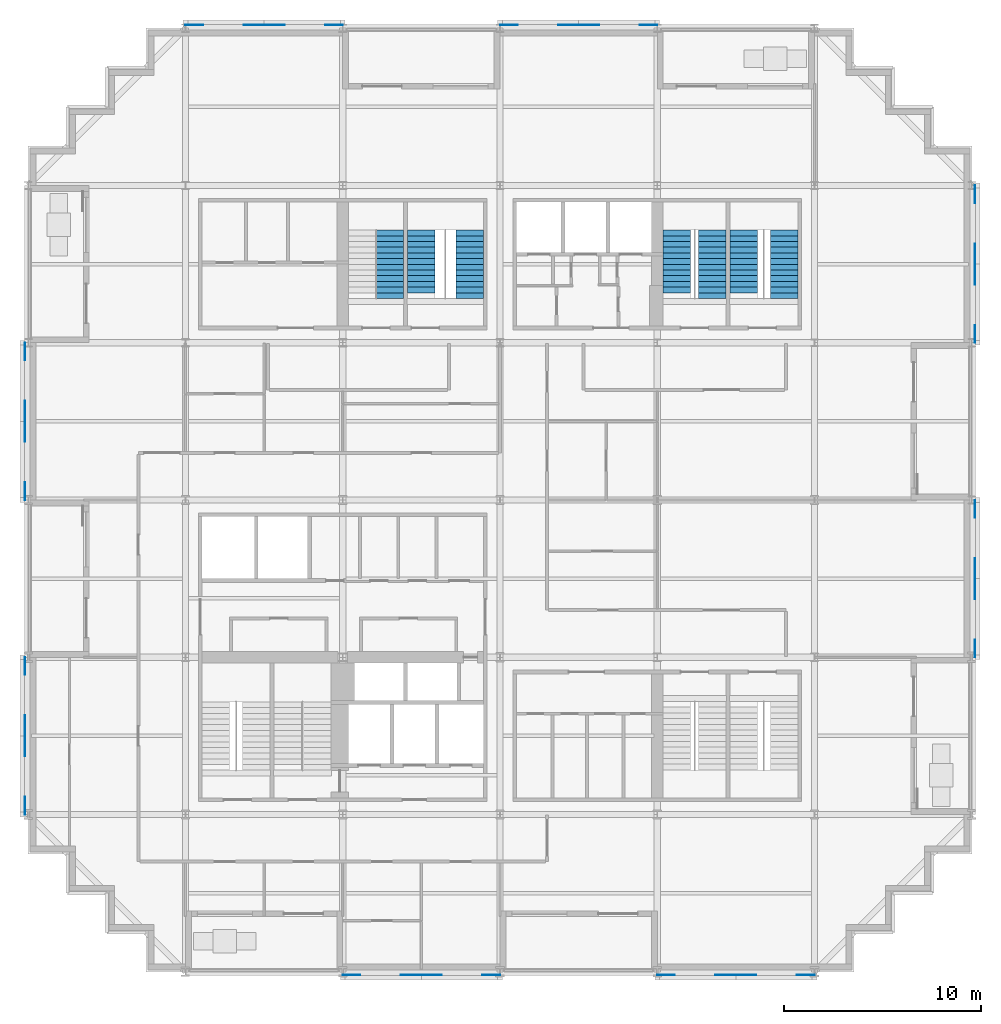
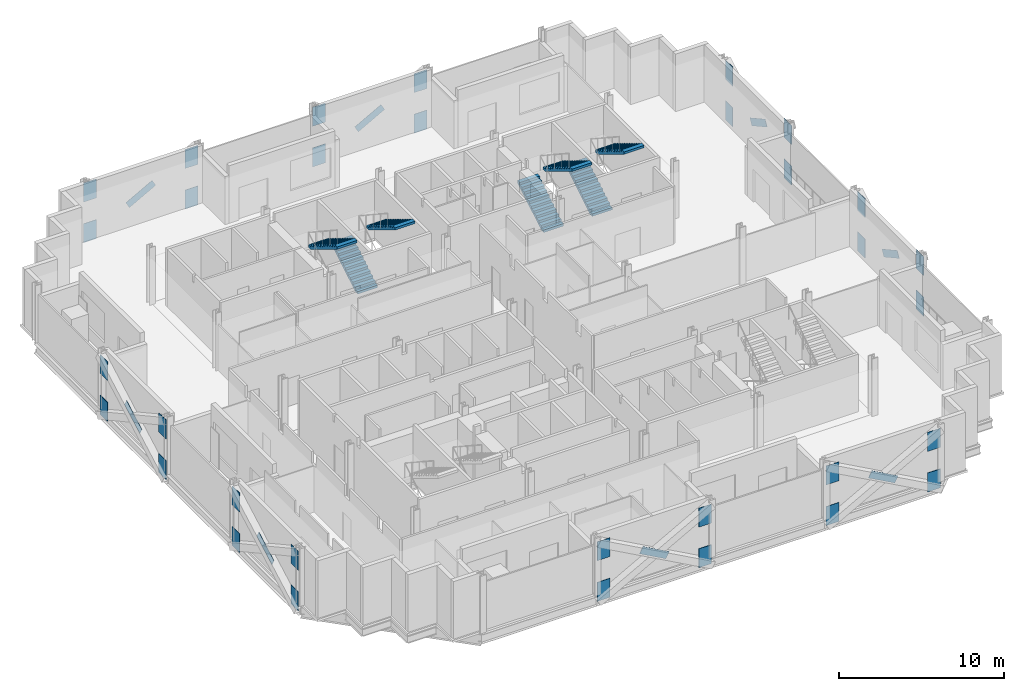
# One storey, part 11 of 14: 40 discrete accessories, 7 stair flights, 4 elements without a shape of their own.
"""IFC4 building model written with IfcOpenShell, lengths in metres."""

from ifc_helpers import new_model, si_unit, direction, frame, origin, origin_2d, place, context, subcontext, project, spatial, polyline, rectangle, outline, extrude, material, material_profile, profile_set, type_object, element, aggregate, save


model = new_model("IFC4")

# Units and contexts
model_context = context("Model", 3, precision=1e-05, world=origin(), true_north=direction((0.0, 1.0)))
body_context = subcontext(model_context, "Body", "Model", "MODEL_VIEW")
ifc_project = project(units=[si_unit("LENGTHUNIT", "METRE"), si_unit("AREAUNIT", "SQUARE_METRE"), si_unit("VOLUMEUNIT", "CUBIC_METRE"), si_unit("PLANEANGLEUNIT", "RADIAN"), si_unit("MASSUNIT", "GRAM", prefix="KILO")], contexts=[model_context])

# Site, building, storey
site_placement = place(None, origin())
site = spatial("IfcSite", under=ifc_project, at=site_placement, CompositionType="ELEMENT")
building_placement = place(site_placement, origin())
building = spatial("IfcBuilding", under=site, at=building_placement, Name="Immortelle Media Tower", CompositionType="ELEMENT")
storey_placement = place(building_placement, frame((0.0, 0.0, 43.60009765625)))
storey = spatial("IfcBuildingStorey", under=building, at=storey_placement, Name="L06", CompositionType="ELEMENT", Elevation=43.60009765625)

# Stair, stair flight
ifc_material_1 = material(Name="Steel ASTM A992 Gr 50", Category="steel")
stair_type = type_object("IfcStairType", Name="Stair with flights", PredefinedType="DOUBLE_RETURN_STAIR", material=ifc_material_1)
stair_1_placement = place(storey_placement, origin())
stair_1 = element("IfcStair", 1, at=stair_1_placement, inside=storey, type_object=stair_type, Name="Exit stair NW1", PredefinedType="DOUBLE_RETURN_STAIR")
stair_flight_type = type_object("IfcStairFlightType", Name="Stair flight 1400", PredefinedType="STRAIGHT", material=ifc_material_1)
stair_flight_1_placement = place(storey_placement, frame((18.39990234375, 37.72998046875, 2.11181640625), z_axis=(0.0, 0.0, 1.0), x_axis=(0.0, -1.0, 0.0)))
stair_flight_1 = element("IfcStairFlight", 2, at=stair_flight_1_placement, type_object=stair_flight_type, Name="ST NW1 flight 2", NumberOfRisers=13, NumberOfTreads=12, PredefinedType="STRAIGHT", RiserHeight=0.176, TreadLength=0.29, context=body_context, shape_type="SweptSolid", body=[
    extrude(outline(polyline([(0.0, 0.0), (0.0, 0.176025390625), (0.2900390625, 0.176025390625), (0.2900390625, 0.35205078125), (0.580078125, 0.35205078125), (0.580078125, 0.528076171875), (0.8701171875, 0.528076171875), (0.8701171875, 0.7041015625), (1.159912109375, 0.7041015625), (1.159912109375, 0.8798828125), (1.449951171875, 0.8798828125), (1.449951171875, 1.055908203125), (1.739990234375, 1.055908203125), (1.739990234375, 1.23193359375), (2.030029296875, 1.23193359375), (2.030029296875, 1.407958984375), (2.320068359375, 1.407958984375), (2.320068359375, 1.583984375), (2.610107421875, 1.583984375), (2.610107421875, 1.760009765625), (2.89990234375, 1.760009765625), (2.89990234375, 1.93603515625), (3.18994140625, 1.93603515625), (3.18994140625, 2.112060546875), (3.47998046875, 2.112060546875), (3.47998046875, 2.2880859375), (3.47998046875, 1.936767578125), (0.288818359375, 0.0), (0.0, 0.0)])), frame((0.0, 0.699951171875, 0.0), z_axis=(0.0, -1.0, 0.0), x_axis=(1.0, 0.0, 0.0)), (0.0, 0.0, 1.0), 1.39990234375),
])
aggregate(stair_1, [stair_flight_1])

# Stair, stair flights
stair_2_placement = place(storey_placement, origin())
stair_2 = element("IfcStair", 3, at=stair_2_placement, inside=storey, type_object=stair_type, Name="Exit stair NW2", PredefinedType="DOUBLE_RETURN_STAIR")
stair_flight_2_placement = place(storey_placement, frame((20.0, 34.5400390625, 0.0), z_axis=(0.0, 0.0, 1.0), x_axis=(0.0, 1.0, 0.0)))
stair_flight_2 = element("IfcStairFlight", 4, at=stair_flight_2_placement, type_object=stair_flight_type, Name="ST NW2 flight 1", NumberOfRisers=12, NumberOfTreads=11, PredefinedType="STRAIGHT", RiserHeight=0.176, TreadLength=0.29, context=body_context, shape_type="SweptSolid", body=[
    extrude(outline(polyline([(0.0, 0.0), (0.0, 0.176025390625), (0.2900390625, 0.176025390625), (0.2900390625, 0.35205078125), (0.580078125, 0.35205078125), (0.580078125, 0.528076171875), (0.8701171875, 0.528076171875), (0.8701171875, 0.7041015625), (1.159912109375, 0.7041015625), (1.159912109375, 0.8798828125), (1.449951171875, 0.8798828125), (1.449951171875, 1.055908203125), (1.739990234375, 1.055908203125), (1.739990234375, 1.23193359375), (2.030029296875, 1.23193359375), (2.030029296875, 1.407958984375), (2.320068359375, 1.407958984375), (2.320068359375, 1.583984375), (2.610107421875, 1.583984375), (2.610107421875, 1.760009765625), (2.89990234375, 1.760009765625), (2.89990234375, 1.93603515625), (3.18994140625, 1.93603515625), (3.18994140625, 2.112060546875), (3.18994140625, 1.7607421875), (0.288818359375, 0.0), (0.0, 0.0)])), frame((0.0, 0.699951171875, 0.0), z_axis=(0.0, -1.0, 0.0), x_axis=(1.0, 0.0, 0.0)), (0.0, 0.0, 1.0), 1.39990234375),
])
stair_flight_3_placement = place(storey_placement, frame((22.449951171875, 37.72998046875, 2.11181640625), z_axis=(0.0, 0.0, 1.0), x_axis=(0.0, -1.0, 0.0)))
stair_flight_3 = element("IfcStairFlight", 5, at=stair_flight_3_placement, type_object=stair_flight_type, Name="ST NW2 flight 2", NumberOfRisers=13, NumberOfTreads=12, PredefinedType="STRAIGHT", RiserHeight=0.176, TreadLength=0.29, context=body_context, shape_type="SweptSolid", body=[
    extrude(outline(polyline([(0.0, 0.0), (0.0, 0.176025390625), (0.2900390625, 0.176025390625), (0.2900390625, 0.35205078125), (0.580078125, 0.35205078125), (0.580078125, 0.528076171875), (0.8701171875, 0.528076171875), (0.8701171875, 0.7041015625), (1.159912109375, 0.7041015625), (1.159912109375, 0.8798828125), (1.449951171875, 0.8798828125), (1.449951171875, 1.055908203125), (1.739990234375, 1.055908203125), (1.739990234375, 1.23193359375), (2.030029296875, 1.23193359375), (2.030029296875, 1.407958984375), (2.320068359375, 1.407958984375), (2.320068359375, 1.583984375), (2.610107421875, 1.583984375), (2.610107421875, 1.760009765625), (2.89990234375, 1.760009765625), (2.89990234375, 1.93603515625), (3.18994140625, 1.93603515625), (3.18994140625, 2.112060546875), (3.47998046875, 2.112060546875), (3.47998046875, 2.2880859375), (3.47998046875, 1.936767578125), (0.288818359375, 0.0), (0.0, 0.0)])), frame((0.0, 0.699951171875, 0.0), z_axis=(0.0, -1.0, 0.0), x_axis=(1.0, 0.0, 0.0)), (0.0, 0.0, 1.0), 1.39990234375),
])
aggregate(stair_2, [stair_flight_2, stair_flight_3])

stair_3_placement = place(storey_placement, origin())
stair_3 = element("IfcStair", 6, at=stair_3_placement, inside=storey, type_object=stair_type, Name="Exit stair NE1", PredefinedType="DOUBLE_RETURN_STAIR")
stair_flight_4_placement = place(storey_placement, frame((33.0, 34.5400390625, 0.0), z_axis=(0.0, 0.0, 1.0), x_axis=(0.0, 1.0, 0.0)))
stair_flight_4 = element("IfcStairFlight", 7, at=stair_flight_4_placement, type_object=stair_flight_type, Name="ST NE1 flight 1", NumberOfRisers=12, NumberOfTreads=11, PredefinedType="STRAIGHT", RiserHeight=0.176, TreadLength=0.29, context=body_context, shape_type="SweptSolid", body=[
    extrude(outline(polyline([(0.0, 0.0), (0.0, 0.176025390625), (0.2900390625, 0.176025390625), (0.2900390625, 0.35205078125), (0.580078125, 0.35205078125), (0.580078125, 0.528076171875), (0.8701171875, 0.528076171875), (0.8701171875, 0.7041015625), (1.159912109375, 0.7041015625), (1.159912109375, 0.8798828125), (1.449951171875, 0.8798828125), (1.449951171875, 1.055908203125), (1.739990234375, 1.055908203125), (1.739990234375, 1.23193359375), (2.030029296875, 1.23193359375), (2.030029296875, 1.407958984375), (2.320068359375, 1.407958984375), (2.320068359375, 1.583984375), (2.610107421875, 1.583984375), (2.610107421875, 1.760009765625), (2.89990234375, 1.760009765625), (2.89990234375, 1.93603515625), (3.18994140625, 1.93603515625), (3.18994140625, 2.112060546875), (3.18994140625, 1.7607421875), (0.288818359375, 0.0), (0.0, 0.0)])), frame((0.0, 0.699951171875, 0.0), z_axis=(0.0, -1.0, 0.0), x_axis=(1.0, 0.0, 0.0)), (0.0, 0.0, 1.0), 1.39990234375),
])
stair_flight_5_placement = place(storey_placement, frame((34.800048828125, 37.72998046875, 2.11181640625), z_axis=(0.0, 0.0, 1.0), x_axis=(0.0, -1.0, 0.0)))
stair_flight_5 = element("IfcStairFlight", 8, at=stair_flight_5_placement, type_object=stair_flight_type, Name="ST NE1 flight 2", NumberOfRisers=13, NumberOfTreads=12, PredefinedType="STRAIGHT", RiserHeight=0.176, TreadLength=0.29, context=body_context, shape_type="SweptSolid", body=[
    extrude(outline(polyline([(0.0, 0.0), (0.0, 0.176025390625), (0.2900390625, 0.176025390625), (0.2900390625, 0.35205078125), (0.580078125, 0.35205078125), (0.580078125, 0.528076171875), (0.8701171875, 0.528076171875), (0.8701171875, 0.7041015625), (1.159912109375, 0.7041015625), (1.159912109375, 0.8798828125), (1.449951171875, 0.8798828125), (1.449951171875, 1.055908203125), (1.739990234375, 1.055908203125), (1.739990234375, 1.23193359375), (2.030029296875, 1.23193359375), (2.030029296875, 1.407958984375), (2.320068359375, 1.407958984375), (2.320068359375, 1.583984375), (2.610107421875, 1.583984375), (2.610107421875, 1.760009765625), (2.89990234375, 1.760009765625), (2.89990234375, 1.93603515625), (3.18994140625, 1.93603515625), (3.18994140625, 2.112060546875), (3.47998046875, 2.112060546875), (3.47998046875, 2.2880859375), (3.47998046875, 1.936767578125), (0.288818359375, 0.0), (0.0, 0.0)])), frame((0.0, 0.699951171875, 0.0), z_axis=(0.0, -1.0, 0.0), x_axis=(1.0, 0.0, 0.0)), (0.0, 0.0, 1.0), 1.39990234375),
])
aggregate(stair_3, [stair_flight_4, stair_flight_5])

stair_4_placement = place(storey_placement, origin())
stair_4 = element("IfcStair", 9, at=stair_4_placement, inside=storey, type_object=stair_type, Name="Exit stair NE2", PredefinedType="DOUBLE_RETURN_STAIR")
stair_flight_6_placement = place(storey_placement, frame((36.39990234375, 34.5400390625, 0.0), z_axis=(0.0, 0.0, 1.0), x_axis=(0.0, 1.0, 0.0)))
stair_flight_6 = element("IfcStairFlight", 10, at=stair_flight_6_placement, type_object=stair_flight_type, Name="ST NE2 flight 1", NumberOfRisers=12, NumberOfTreads=11, PredefinedType="STRAIGHT", RiserHeight=0.176, TreadLength=0.29, context=body_context, shape_type="SweptSolid", body=[
    extrude(outline(polyline([(0.0, 0.0), (0.0, 0.176025390625), (0.2900390625, 0.176025390625), (0.2900390625, 0.35205078125), (0.580078125, 0.35205078125), (0.580078125, 0.528076171875), (0.8701171875, 0.528076171875), (0.8701171875, 0.7041015625), (1.159912109375, 0.7041015625), (1.159912109375, 0.8798828125), (1.449951171875, 0.8798828125), (1.449951171875, 1.055908203125), (1.739990234375, 1.055908203125), (1.739990234375, 1.23193359375), (2.030029296875, 1.23193359375), (2.030029296875, 1.407958984375), (2.320068359375, 1.407958984375), (2.320068359375, 1.583984375), (2.610107421875, 1.583984375), (2.610107421875, 1.760009765625), (2.89990234375, 1.760009765625), (2.89990234375, 1.93603515625), (3.18994140625, 1.93603515625), (3.18994140625, 2.112060546875), (3.18994140625, 1.7607421875), (0.288818359375, 0.0), (0.0, 0.0)])), frame((0.0, 0.699951171875, 0.0), z_axis=(0.0, -1.0, 0.0), x_axis=(1.0, 0.0, 0.0)), (0.0, 0.0, 1.0), 1.39990234375),
])
stair_flight_7_placement = place(storey_placement, frame((38.449951171875, 37.72998046875, 2.11181640625), z_axis=(0.0, 0.0, 1.0), x_axis=(0.0, -1.0, 0.0)))
stair_flight_7 = element("IfcStairFlight", 11, at=stair_flight_7_placement, type_object=stair_flight_type, Name="ST NE2 flight 2", NumberOfRisers=13, NumberOfTreads=12, PredefinedType="STRAIGHT", RiserHeight=0.176, TreadLength=0.29, context=body_context, shape_type="SweptSolid", body=[
    extrude(outline(polyline([(0.0, 0.0), (0.0, 0.176025390625), (0.2900390625, 0.176025390625), (0.2900390625, 0.35205078125), (0.580078125, 0.35205078125), (0.580078125, 0.528076171875), (0.8701171875, 0.528076171875), (0.8701171875, 0.7041015625), (1.159912109375, 0.7041015625), (1.159912109375, 0.8798828125), (1.449951171875, 0.8798828125), (1.449951171875, 1.055908203125), (1.739990234375, 1.055908203125), (1.739990234375, 1.23193359375), (2.030029296875, 1.23193359375), (2.030029296875, 1.407958984375), (2.320068359375, 1.407958984375), (2.320068359375, 1.583984375), (2.610107421875, 1.583984375), (2.610107421875, 1.760009765625), (2.89990234375, 1.760009765625), (2.89990234375, 1.93603515625), (3.18994140625, 1.93603515625), (3.18994140625, 2.112060546875), (3.47998046875, 2.112060546875), (3.47998046875, 2.2880859375), (3.47998046875, 1.936767578125), (0.288818359375, 0.0), (0.0, 0.0)])), frame((0.0, 0.699951171875, 0.0), z_axis=(0.0, -1.0, 0.0), x_axis=(1.0, 0.0, 0.0)), (0.0, 0.0, 1.0), 1.39990234375),
])
aggregate(stair_4, [stair_flight_6, stair_flight_7])

# Discrete accessories
ifc_material_2 = material(Name="Steel ASTM A572 Gr 50", Category="steel")
ifc_material_profile_1 = material_profile(ifc_material_2, rectangle(XDim=0.02392578125, YDim=0.508056640625, at=origin_2d()), Name="PL 24 x 508")
ifc_profile_set_1 = profile_set([ifc_material_profile_1], Name="Steel ASTM A572 Gr 50")
discrete_accessory_type_1 = type_object("IfcDiscreteAccessoryType", Name="Crossing plate XP-BR2 2100 x 508 x 24", PredefinedType="USERDEFINED", material=ifc_profile_set_1)
for number, where, z_axis, x_axis, name in (
    (12, (-0.1640625, 28.919921875, 2.2080078125), (0.0, -0.876156989658, -0.482025859756), (1.0, 0.0, 0.0), "Crossing plate XP-BR2 of Brace 1/D-E A and Brace 1/D-E B"),
    (13, (-0.1640625, 12.919921875, 2.2080078125), (0.0, -0.876156989658, -0.482025859756), (1.0, 0.0, 0.0), "Crossing plate XP-BR2 of Brace 1/B-C A and Brace 1/B-C B"),
    (14, (48.1640625, 19.080078125, 2.2080078125), (0.0, 0.876156989658, -0.482025859756), (-1.0, 0.0, 0.0), "Crossing plate XP-BR2 of Brace 7/C-D A and Brace 7/C-D B"),
    (15, (48.1640625, 35.080078125, 2.2080078125), (0.0, 0.876156989658, -0.482025859756), (-1.0, 0.0, 0.0), "Crossing plate XP-BR2 of Brace 7/E-F A and Brace 7/E-F B"),
    (16, (28.919921875, 48.1640625, 2.2080078125), (-0.876156989658, 0.0, -0.482025859756), (0.0, -1.0, 0.0), "Crossing plate XP-BR2 of Brace G/4-5 A and Brace G/4-5 B"),
    (17, (12.919921875, 48.1640625, 2.2080078125), (-0.876156989658, 0.0, -0.482025859756), (0.0, -1.0, 0.0), "Crossing plate XP-BR2 of Brace G/2-3 A and Brace G/2-3 B"),
    (18, (19.080078125, -0.1640625, 2.2080078125), (0.876156989658, 0.0, -0.482025859756), (0.0, 1.0, 0.0), "Crossing plate XP-BR2 of Brace A/3-4 A and Brace A/3-4 B"),
    (19, (35.080078125, -0.1640625, 2.2080078125), (0.876156989658, 0.0, -0.482025859756), (0.0, 1.0, 0.0), "Crossing plate XP-BR2 of Brace A/5-6 A and Brace A/5-6 B"),
):
    element("IfcDiscreteAccessory", number, at=place(storey_placement, frame(where, z_axis=z_axis, x_axis=x_axis)), inside=storey, type_object=discrete_accessory_type_1, Name=name, ObjectType="CROSSING PLATE", PredefinedType="USERDEFINED", context=body_context, shape_type="SweptSolid", body=[
        extrude(rectangle(XDim=0.02392578125, YDim=0.508056640625, at=origin_2d()), origin(), (0.0, 0.0, 1.0), 2.099853515625),
    ])
ifc_material_profile_2 = material_profile(ifc_material_2, rectangle(XDim=0.031982421875, YDim=1.39990234375, at=origin_2d()), Name="PL 32 x 1400")
ifc_profile_set_2 = profile_set([ifc_material_profile_2], Name="Steel ASTM A572 Gr 50")
discrete_accessory_type_2 = type_object("IfcDiscreteAccessoryType", Name="Gusset plate GP1 900 x 1400 x 32", PredefinedType="USERDEFINED", material=ifc_profile_set_2)
for number, where, z_axis, x_axis, name in (
    (20, (-0.1640625, 32.0, 0.201904296875), (0.0, -1.0, 0.0), (1.0, 0.0, 0.0), "Gusset plate GP1, lower end of Brace 1/D-E A"),
    (21, (-0.1640625, 24.0, 3.201904296875), (0.0, 1.0, 0.0), (-1.0, 0.0, 0.0), "Gusset plate GP1, upper end of Brace 1/D-E A"),
    (22, (-0.1640625, 24.0, 0.201904296875), (0.0, 1.0, 0.0), (-1.0, 0.0, 0.0), "Gusset plate GP1, lower end of Brace 1/D-E B"),
    (23, (-0.1640625, 32.0, 3.201904296875), (0.0, -1.0, 0.0), (1.0, 0.0, 0.0), "Gusset plate GP1, upper end of Brace 1/D-E B"),
    (24, (-0.1640625, 16.0, 0.201904296875), (0.0, -1.0, 0.0), (1.0, 0.0, 0.0), "Gusset plate GP1, lower end of Brace 1/B-C A"),
    (25, (-0.1640625, 8.0, 3.201904296875), (0.0, 1.0, 0.0), (-1.0, 0.0, 0.0), "Gusset plate GP1, upper end of Brace 1/B-C A"),
    (26, (-0.1640625, 8.0, 0.201904296875), (0.0, 1.0, 0.0), (-1.0, 0.0, 0.0), "Gusset plate GP1, lower end of Brace 1/B-C B"),
    (27, (-0.1640625, 16.0, 3.201904296875), (0.0, -1.0, 0.0), (1.0, 0.0, 0.0), "Gusset plate GP1, upper end of Brace 1/B-C B"),
    (28, (16.0, -0.1640625, 0.201904296875), (1.0, 0.0, 0.0), (0.0, 1.0, 0.0), "Gusset plate GP1, lower end of Brace A/3-4 A"),
    (29, (24.0, -0.1640625, 3.201904296875), (-1.0, 0.0, 0.0), (0.0, -1.0, 0.0), "Gusset plate GP1, upper end of Brace A/3-4 A"),
    (30, (24.0, -0.1640625, 0.201904296875), (-1.0, 0.0, 0.0), (0.0, -1.0, 0.0), "Gusset plate GP1, lower end of Brace A/3-4 B"),
    (31, (16.0, -0.1640625, 3.201904296875), (1.0, 0.0, 0.0), (0.0, 1.0, 0.0), "Gusset plate GP1, upper end of Brace A/3-4 B"),
    (32, (32.0, -0.1640625, 0.201904296875), (1.0, 0.0, 0.0), (0.0, 1.0, 0.0), "Gusset plate GP1, lower end of Brace A/5-6 A"),
    (33, (40.0, -0.1640625, 3.201904296875), (-1.0, 0.0, 0.0), (0.0, -1.0, 0.0), "Gusset plate GP1, upper end of Brace A/5-6 A"),
    (34, (40.0, -0.1640625, 0.201904296875), (-1.0, 0.0, 0.0), (0.0, -1.0, 0.0), "Gusset plate GP1, lower end of Brace A/5-6 B"),
    (35, (32.0, -0.1640625, 3.201904296875), (1.0, 0.0, 0.0), (0.0, 1.0, 0.0), "Gusset plate GP1, upper end of Brace A/5-6 B"),
    (36, (48.1640625, 16.0, 0.201904296875), (0.0, 1.0, 0.0), (-1.0, 0.0, 0.0), "Gusset plate GP1, lower end of Brace 7/C-D A"),
    (37, (48.1640625, 24.0, 3.201904296875), (0.0, -1.0, 0.0), (1.0, 0.0, 0.0), "Gusset plate GP1, upper end of Brace 7/C-D A"),
    (38, (48.1640625, 24.0, 0.201904296875), (0.0, -1.0, 0.0), (1.0, 0.0, 0.0), "Gusset plate GP1, lower end of Brace 7/C-D B"),
    (39, (48.1640625, 16.0, 3.201904296875), (0.0, 1.0, 0.0), (-1.0, 0.0, 0.0), "Gusset plate GP1, upper end of Brace 7/C-D B"),
    (40, (48.1640625, 32.0, 0.201904296875), (0.0, 1.0, 0.0), (-1.0, 0.0, 0.0), "Gusset plate GP1, lower end of Brace 7/E-F A"),
    (41, (48.1640625, 40.0, 3.201904296875), (0.0, -1.0, 0.0), (1.0, 0.0, 0.0), "Gusset plate GP1, upper end of Brace 7/E-F A"),
    (42, (48.1640625, 40.0, 0.201904296875), (0.0, -1.0, 0.0), (1.0, 0.0, 0.0), "Gusset plate GP1, lower end of Brace 7/E-F B"),
    (43, (48.1640625, 32.0, 3.201904296875), (0.0, 1.0, 0.0), (-1.0, 0.0, 0.0), "Gusset plate GP1, upper end of Brace 7/E-F B"),
    (44, (32.0, 48.1640625, 0.201904296875), (-1.0, 0.0, 0.0), (0.0, -1.0, 0.0), "Gusset plate GP1, lower end of Brace G/4-5 A"),
    (45, (24.0, 48.1640625, 3.201904296875), (1.0, 0.0, 0.0), (0.0, 1.0, 0.0), "Gusset plate GP1, upper end of Brace G/4-5 A"),
    (46, (24.0, 48.1640625, 0.201904296875), (1.0, 0.0, 0.0), (0.0, 1.0, 0.0), "Gusset plate GP1, lower end of Brace G/4-5 B"),
    (47, (32.0, 48.1640625, 3.201904296875), (-1.0, 0.0, 0.0), (0.0, -1.0, 0.0), "Gusset plate GP1, upper end of Brace G/4-5 B"),
    (48, (16.0, 48.1640625, 0.201904296875), (-1.0, 0.0, 0.0), (0.0, -1.0, 0.0), "Gusset plate GP1, lower end of Brace G/2-3 A"),
    (49, (8.0, 48.1640625, 3.201904296875), (1.0, 0.0, 0.0), (0.0, 1.0, 0.0), "Gusset plate GP1, upper end of Brace G/2-3 A"),
    (50, (8.0, 48.1640625, 0.201904296875), (1.0, 0.0, 0.0), (0.0, 1.0, 0.0), "Gusset plate GP1, lower end of Brace G/2-3 B"),
    (51, (16.0, 48.1640625, 3.201904296875), (-1.0, 0.0, 0.0), (0.0, -1.0, 0.0), "Gusset plate GP1, upper end of Brace G/2-3 B"),
):
    element("IfcDiscreteAccessory", number, at=place(storey_placement, frame(where, z_axis=z_axis, x_axis=x_axis)), inside=storey, type_object=discrete_accessory_type_2, Name=name, ObjectType="GUSSET PLATE", PredefinedType="USERDEFINED", context=body_context, shape_type="SweptSolid", body=[
        extrude(rectangle(XDim=0.031982421875, YDim=1.39990234375, at=origin_2d()), origin(), (0.0, 0.0, 1.0), 0.89990234375),
    ])

save(model, "model.ifc")
